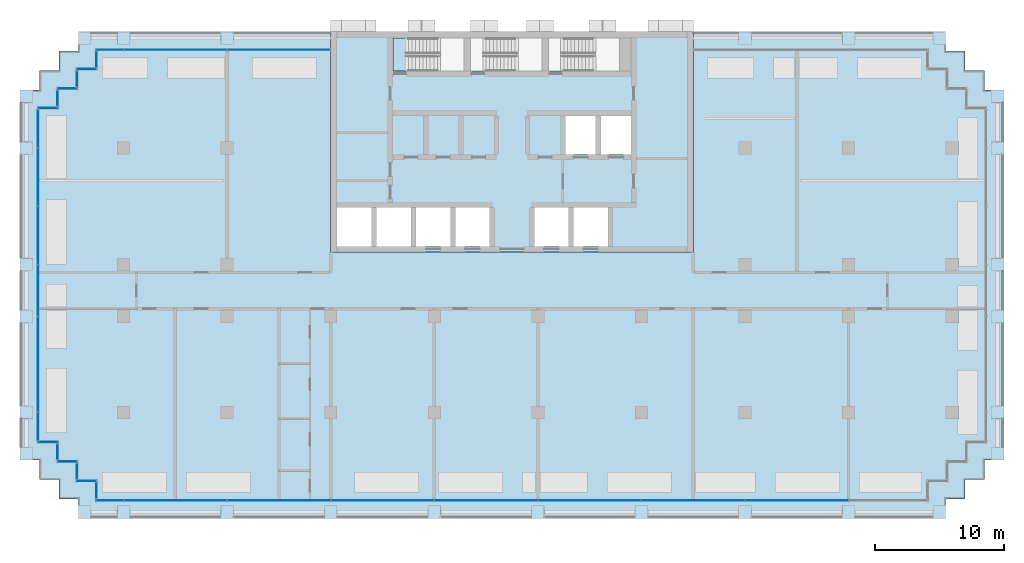
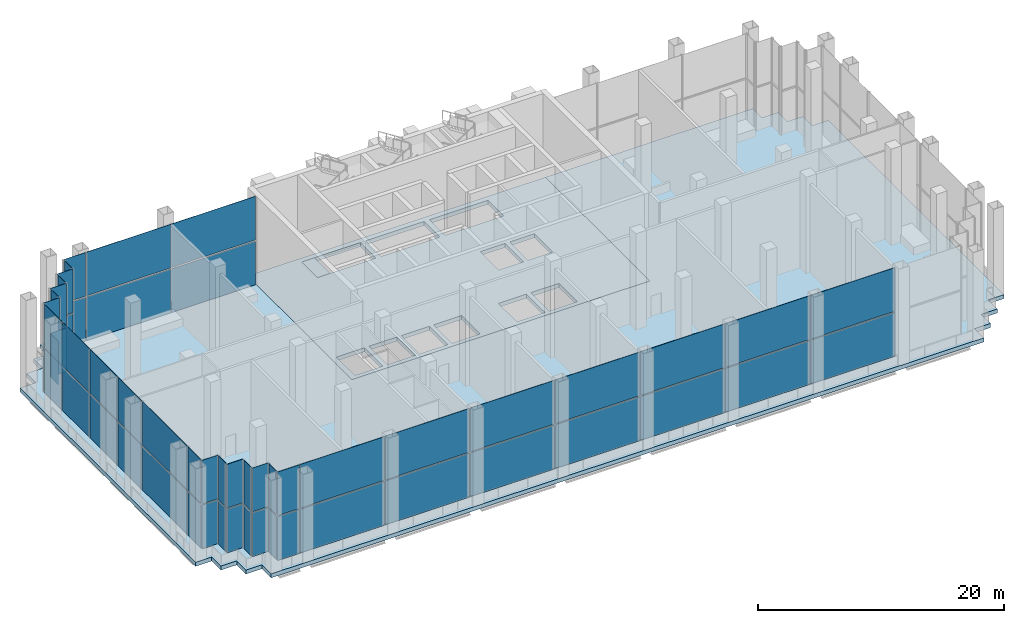
# One storey, part 7 of 16: 58 plates, 3 slabs, 15 elements without a shape of their own.
"""IFC4 building model written with IfcOpenShell, lengths in metres."""

from ifc_helpers import new_model, si_unit, direction, frame, origin, origin_2d, place, context, subcontext, project, spatial, polyline, rectangle, outline, extrude, material, layer, layer_set, type_object, element, aggregate, save


model = new_model("IFC4")

# Units and contexts
model_context = context("Model", 3, precision=1e-05, world=origin(), true_north=direction((0.0, 1.0)))
body_context = subcontext(model_context, "Body", "Model", "MODEL_VIEW")
ifc_project = project(units=[si_unit("LENGTHUNIT", "METRE"), si_unit("AREAUNIT", "SQUARE_METRE"), si_unit("VOLUMEUNIT", "CUBIC_METRE"), si_unit("PLANEANGLEUNIT", "RADIAN"), si_unit("MASSUNIT", "GRAM", prefix="KILO")], contexts=[model_context])

# Site, building, storey
site_placement = place(None, origin())
site = spatial("IfcSite", under=ifc_project, at=site_placement, CompositionType="ELEMENT")
building_placement = place(site_placement, origin())
building = spatial("IfcBuilding", under=site, at=building_placement, Name="Vidyagriha Tower", CompositionType="ELEMENT")
storey_placement = place(building_placement, frame((0.0, 0.0, 64.0)))
storey = spatial("IfcBuildingStorey", under=building, at=storey_placement, Name="L17", CompositionType="ELEMENT", Elevation=64.0)

# Slabs
ifc_material_1 = material(Name="Concrete C60/75", Category="concrete")
ifc_layer_1 = layer(ifc_material_1, 0.39990234375)
ifc_layer_set_1 = layer_set([ifc_layer_1], Name="Concrete C60/75")
slab_type_1 = type_object("IfcSlabType", Name="Core floor slab 400 mm", PredefinedType="FLOOR", material=ifc_layer_set_1)
slab_1_placement = place(storey_placement, frame((0.0, 0.0, -0.39990234375)))
element("IfcSlab", 1, at=slab_1_placement, inside=storey, type_object=slab_type_1, Name="L17 core floor 1", PredefinedType="FLOOR", context=body_context, shape_type="SweptSolid", body=[
    extrude(outline(polyline([(-14.0, 3.0), (-14.0, 20.0), (14.0, 20.0), (14.0, 3.0), (-14.0, 3.0)]), holes=[polyline([(9.199951171875, 13.5), (6.86669921875, 13.5), (6.86669921875, 10.5), (9.199951171875, 10.5), (9.199951171875, 13.5)]), polyline([(4.0, 19.5), (2.800048828125, 19.5), (2.800048828125, 16.949951171875), (4.0, 16.949951171875), (8.300048828125, 16.949951171875), (8.300048828125, 19.5), (4.0, 19.5)]), polyline([(7.4111328125, 6.39990234375), (4.7666015625, 6.39990234375), (4.7666015625, 3.39990234375), (7.4111328125, 3.39990234375), (7.4111328125, 6.39990234375)]), polyline([(6.466796875, 13.5), (4.13330078125, 13.5), (4.13330078125, 10.5), (6.466796875, 10.5), (6.466796875, 13.5)]), polyline([(1.72216796875, 6.39990234375), (1.72216796875, 3.39990234375), (4.36669921875, 3.39990234375), (4.36669921875, 6.39990234375), (1.72216796875, 6.39990234375)]), polyline([(-2.0, 16.949951171875), (2.300048828125, 16.949951171875), (2.300048828125, 19.5), (-2.0, 19.5), (-3.199951171875, 19.5), (-3.199951171875, 16.949951171875), (-2.0, 16.949951171875)]), polyline([(-1.72216796875, 6.39990234375), (-4.36669921875, 6.39990234375), (-4.36669921875, 3.39990234375), (-1.72216796875, 3.39990234375), (-1.72216796875, 6.39990234375)]), polyline([(-8.0, 19.5), (-9.199951171875, 19.5), (-9.199951171875, 16.949951171875), (-8.0, 16.949951171875), (-3.699951171875, 16.949951171875), (-3.699951171875, 19.5), (-8.0, 19.5)]), polyline([(-4.7666015625, 6.39990234375), (-7.4111328125, 6.39990234375), (-7.4111328125, 3.39990234375), (-4.7666015625, 3.39990234375), (-4.7666015625, 6.39990234375)]), polyline([(-7.81103515625, 6.39990234375), (-10.45556640625, 6.39990234375), (-10.45556640625, 3.39990234375), (-7.81103515625, 3.39990234375), (-7.81103515625, 6.39990234375)]), polyline([(-13.5, 6.39990234375), (-13.5, 3.39990234375), (-10.855712890625, 3.39990234375), (-10.855712890625, 6.39990234375), (-13.5, 6.39990234375)])]), origin(), (0.0, 0.0, 1.0), 0.39990234375),
])
ifc_material_2 = material(Name="Concrete C40/50", Category="concrete")
ifc_layer_2 = layer(ifc_material_2, 0.39990234375)
ifc_layer_set_2 = layer_set([ifc_layer_2], Name="Concrete C40/50")
slab_type_2 = type_object("IfcSlabType", Name="Exit stair floor landing 400 mm", PredefinedType="LANDING", material=ifc_layer_set_2)
slab_2_placement = place(storey_placement, frame((0.0, 0.0, -0.39990234375)))
element("IfcSlab", 2, at=slab_2_placement, inside=storey, type_object=slab_type_2, Name="ST1 floor landing L17", PredefinedType="LANDING", context=body_context, shape_type="SweptSolid", body=[
    extrude(outline(polyline([(-9.199951171875, 16.949951171875), (-8.0, 16.949951171875), (-8.0, 19.5), (-9.199951171875, 19.5), (-9.199951171875, 16.949951171875)])), origin(), (0.0, 0.0, 1.0), 0.39990234375),
])

# Curtain wall, plates
ifc_material_3 = material(Name="Aluminium and glass curtain wall", Category="aluminium")
curtain_wall_type = type_object("IfcCurtainWallType", Name="Winter garden glazing wall", PredefinedType="USERDEFINED", material=ifc_material_3)
curtain_wall_1_placement = place(storey_placement, origin())
curtain_wall_1 = element("IfcCurtainWall", 3, at=curtain_wall_1_placement, inside=storey, type_object=curtain_wall_type, Name="CW3 winter garden glazing", ObjectType="STICK GLAZING", PredefinedType="USERDEFINED")
ifc_material_4 = material(Name="Laminated green-tint solar-control glass", Category="glass")
ifc_layer_3 = layer(ifc_material_4, 0.031982421875)
ifc_layer_set_3 = layer_set([ifc_layer_3], Name="Laminated green-tint solar-control glass")
plate_type = type_object("IfcPlateType", Name="Green-tint winter garden glass panel", PredefinedType="CURTAIN_PANEL", material=ifc_layer_set_3)
plate_1_placement = place(storey_placement, frame((-18.02001953125, 18.60009765625, 0.0), z_axis=(0.0, 0.0, 1.0), x_axis=(-1.0, 0.0, 0.0)))
plate_1 = element("IfcPlate", 4, at=plate_1_placement, type_object=plate_type, Name="CW3 panel 1.1", PredefinedType="CURTAIN_PANEL", context=body_context, shape_type="SweptSolid", body=[
    extrude(rectangle(XDim=7.8798828125, YDim=0.031982421875, at=origin_2d()), origin(), (0.0, 0.0, 1.0), 4.340087890625),
])
plate_2_placement = place(storey_placement, frame((-18.02001953125, 18.60009765625, 4.4599609375), z_axis=(0.0, 0.0, 1.0), x_axis=(-1.0, 0.0, 0.0)))
plate_2 = element("IfcPlate", 5, at=plate_2_placement, type_object=plate_type, Name="CW3 panel 1.2", PredefinedType="CURTAIN_PANEL", context=body_context, shape_type="SweptSolid", body=[
    extrude(rectangle(XDim=7.8798828125, YDim=0.031982421875, at=origin_2d()), origin(), (0.0, 0.0, 1.0), 4.340087890625),
])
plate_3_placement = place(storey_placement, frame((-26.0, 18.60009765625, 0.0), z_axis=(0.0, 0.0, 1.0), x_axis=(-1.0, 0.0, 0.0)))
plate_3 = element("IfcPlate", 6, at=plate_3_placement, type_object=plate_type, Name="CW3 panel 2.1", PredefinedType="CURTAIN_PANEL", context=body_context, shape_type="SweptSolid", body=[
    extrude(rectangle(XDim=7.919921875, YDim=0.031982421875, at=origin_2d()), origin(), (0.0, 0.0, 1.0), 4.340087890625),
])
plate_4_placement = place(storey_placement, frame((-26.0, 18.60009765625, 4.4599609375), z_axis=(0.0, 0.0, 1.0), x_axis=(-1.0, 0.0, 0.0)))
plate_4 = element("IfcPlate", 7, at=plate_4_placement, type_object=plate_type, Name="CW3 panel 2.2", PredefinedType="CURTAIN_PANEL", context=body_context, shape_type="SweptSolid", body=[
    extrude(rectangle(XDim=7.919921875, YDim=0.031982421875, at=origin_2d()), origin(), (0.0, 0.0, 1.0), 4.340087890625),
])
plate_5_placement = place(storey_placement, frame((-31.070068359375, 18.60009765625, 0.0), z_axis=(0.0, 0.0, 1.0), x_axis=(-1.0, 0.0, 0.0)))
plate_5 = element("IfcPlate", 8, at=plate_5_placement, type_object=plate_type, Name="CW3 panel 3.1", PredefinedType="CURTAIN_PANEL", context=body_context, shape_type="SweptSolid", body=[
    extrude(rectangle(XDim=2.06005859375, YDim=0.031982421875, at=origin_2d()), origin(), (0.0, 0.0, 1.0), 4.340087890625),
])
plate_6_placement = place(storey_placement, frame((-31.070068359375, 18.60009765625, 4.4599609375), z_axis=(0.0, 0.0, 1.0), x_axis=(-1.0, 0.0, 0.0)))
plate_6 = element("IfcPlate", 9, at=plate_6_placement, type_object=plate_type, Name="CW3 panel 3.2", PredefinedType="CURTAIN_PANEL", context=body_context, shape_type="SweptSolid", body=[
    extrude(rectangle(XDim=2.06005859375, YDim=0.031982421875, at=origin_2d()), origin(), (0.0, 0.0, 1.0), 4.340087890625),
])
aggregate(curtain_wall_1, [plate_1, plate_2, plate_3, plate_4, plate_5, plate_6])

curtain_wall_2_placement = place(storey_placement, origin())
curtain_wall_2 = element("IfcCurtainWall", 10, at=curtain_wall_2_placement, inside=storey, type_object=curtain_wall_type, Name="CW3 winter garden glazing", ObjectType="STICK GLAZING", PredefinedType="USERDEFINED")
plate_7_placement = place(storey_placement, frame((-32.10009765625, 17.85009765625, 0.0), z_axis=(0.0, 0.0, 1.0), x_axis=(0.0, -1.0, 0.0)))
plate_7 = element("IfcPlate", 11, at=plate_7_placement, type_object=plate_type, Name="CW3 panel 1.1", PredefinedType="CURTAIN_PANEL", context=body_context, shape_type="SweptSolid", body=[
    extrude(rectangle(XDim=1.179931640625, YDim=0.031982421875, at=origin_2d()), origin(), (0.0, 0.0, 1.0), 4.340087890625),
])
plate_8_placement = place(storey_placement, frame((-32.10009765625, 17.85009765625, 4.4599609375), z_axis=(0.0, 0.0, 1.0), x_axis=(0.0, -1.0, 0.0)))
plate_8 = element("IfcPlate", 12, at=plate_8_placement, type_object=plate_type, Name="CW3 panel 1.2", PredefinedType="CURTAIN_PANEL", context=body_context, shape_type="SweptSolid", body=[
    extrude(rectangle(XDim=1.179931640625, YDim=0.031982421875, at=origin_2d()), origin(), (0.0, 0.0, 1.0), 4.340087890625),
])
aggregate(curtain_wall_2, [plate_7, plate_8])

curtain_wall_3_placement = place(storey_placement, origin())
curtain_wall_3 = element("IfcCurtainWall", 13, at=curtain_wall_3_placement, inside=storey, type_object=curtain_wall_type, Name="CW3 winter garden glazing", ObjectType="STICK GLAZING", PredefinedType="USERDEFINED")
plate_9_placement = place(storey_placement, frame((-32.85009765625, 17.10009765625, 0.0), z_axis=(0.0, 0.0, 1.0), x_axis=(-1.0, 0.0, 0.0)))
plate_9 = element("IfcPlate", 14, at=plate_9_placement, type_object=plate_type, Name="CW3 panel 1.1", PredefinedType="CURTAIN_PANEL", context=body_context, shape_type="SweptSolid", body=[
    extrude(rectangle(XDim=1.5, YDim=0.031982421875, at=origin_2d()), origin(), (0.0, 0.0, 1.0), 4.340087890625),
])
plate_10_placement = place(storey_placement, frame((-32.85009765625, 17.10009765625, 4.4599609375), z_axis=(0.0, 0.0, 1.0), x_axis=(-1.0, 0.0, 0.0)))
plate_10 = element("IfcPlate", 15, at=plate_10_placement, type_object=plate_type, Name="CW3 panel 1.2", PredefinedType="CURTAIN_PANEL", context=body_context, shape_type="SweptSolid", body=[
    extrude(rectangle(XDim=1.5, YDim=0.031982421875, at=origin_2d()), origin(), (0.0, 0.0, 1.0), 4.340087890625),
])
aggregate(curtain_wall_3, [plate_9, plate_10])

curtain_wall_4_placement = place(storey_placement, origin())
curtain_wall_4 = element("IfcCurtainWall", 16, at=curtain_wall_4_placement, inside=storey, type_object=curtain_wall_type, Name="CW3 winter garden glazing", ObjectType="STICK GLAZING", PredefinedType="USERDEFINED")
plate_11_placement = place(storey_placement, frame((-33.60009765625, 16.35009765625, 0.0), z_axis=(0.0, 0.0, 1.0), x_axis=(0.0, -1.0, 0.0)))
plate_11 = element("IfcPlate", 17, at=plate_11_placement, type_object=plate_type, Name="CW3 panel 1.1", PredefinedType="CURTAIN_PANEL", context=body_context, shape_type="SweptSolid", body=[
    extrude(rectangle(XDim=1.179931640625, YDim=0.031982421875, at=origin_2d()), origin(), (0.0, 0.0, 1.0), 4.340087890625),
])
plate_12_placement = place(storey_placement, frame((-33.60009765625, 16.35009765625, 4.4599609375), z_axis=(0.0, 0.0, 1.0), x_axis=(0.0, -1.0, 0.0)))
plate_12 = element("IfcPlate", 18, at=plate_12_placement, type_object=plate_type, Name="CW3 panel 1.2", PredefinedType="CURTAIN_PANEL", context=body_context, shape_type="SweptSolid", body=[
    extrude(rectangle(XDim=1.179931640625, YDim=0.031982421875, at=origin_2d()), origin(), (0.0, 0.0, 1.0), 4.340087890625),
])
aggregate(curtain_wall_4, [plate_11, plate_12])

curtain_wall_5_placement = place(storey_placement, origin())
curtain_wall_5 = element("IfcCurtainWall", 19, at=curtain_wall_5_placement, inside=storey, type_object=curtain_wall_type, Name="CW3 winter garden glazing", ObjectType="STICK GLAZING", PredefinedType="USERDEFINED")
plate_13_placement = place(storey_placement, frame((-34.35009765625, 15.60009765625, 0.0), z_axis=(0.0, 0.0, 1.0), x_axis=(-1.0, 0.0, 0.0)))
plate_13 = element("IfcPlate", 20, at=plate_13_placement, type_object=plate_type, Name="CW3 panel 1.1", PredefinedType="CURTAIN_PANEL", context=body_context, shape_type="SweptSolid", body=[
    extrude(rectangle(XDim=1.5, YDim=0.031982421875, at=origin_2d()), origin(), (0.0, 0.0, 1.0), 4.340087890625),
])
plate_14_placement = place(storey_placement, frame((-34.35009765625, 15.60009765625, 4.4599609375), z_axis=(0.0, 0.0, 1.0), x_axis=(-1.0, 0.0, 0.0)))
plate_14 = element("IfcPlate", 21, at=plate_14_placement, type_object=plate_type, Name="CW3 panel 1.2", PredefinedType="CURTAIN_PANEL", context=body_context, shape_type="SweptSolid", body=[
    extrude(rectangle(XDim=1.5, YDim=0.031982421875, at=origin_2d()), origin(), (0.0, 0.0, 1.0), 4.340087890625),
])
aggregate(curtain_wall_5, [plate_13, plate_14])

curtain_wall_6_placement = place(storey_placement, origin())
curtain_wall_6 = element("IfcCurtainWall", 22, at=curtain_wall_6_placement, inside=storey, type_object=curtain_wall_type, Name="CW3 winter garden glazing", ObjectType="STICK GLAZING", PredefinedType="USERDEFINED")
plate_15_placement = place(storey_placement, frame((-35.10009765625, 14.85009765625, 0.0), z_axis=(0.0, 0.0, 1.0), x_axis=(0.0, -1.0, 0.0)))
plate_15 = element("IfcPlate", 23, at=plate_15_placement, type_object=plate_type, Name="CW3 panel 1.1", PredefinedType="CURTAIN_PANEL", context=body_context, shape_type="SweptSolid", body=[
    extrude(rectangle(XDim=1.179931640625, YDim=0.031982421875, at=origin_2d()), origin(), (0.0, 0.0, 1.0), 4.340087890625),
])
plate_16_placement = place(storey_placement, frame((-35.10009765625, 14.85009765625, 4.4599609375), z_axis=(0.0, 0.0, 1.0), x_axis=(0.0, -1.0, 0.0)))
plate_16 = element("IfcPlate", 24, at=plate_16_placement, type_object=plate_type, Name="CW3 panel 1.2", PredefinedType="CURTAIN_PANEL", context=body_context, shape_type="SweptSolid", body=[
    extrude(rectangle(XDim=1.179931640625, YDim=0.031982421875, at=origin_2d()), origin(), (0.0, 0.0, 1.0), 4.340087890625),
])
aggregate(curtain_wall_6, [plate_15, plate_16])

curtain_wall_7_placement = place(storey_placement, origin())
curtain_wall_7 = element("IfcCurtainWall", 25, at=curtain_wall_7_placement, inside=storey, type_object=curtain_wall_type, Name="CW3 winter garden glazing", ObjectType="STICK GLAZING", PredefinedType="USERDEFINED")
plate_17_placement = place(storey_placement, frame((-35.85009765625, 14.10009765625, 0.0), z_axis=(0.0, 0.0, 1.0), x_axis=(-1.0, 0.0, 0.0)))
plate_17 = element("IfcPlate", 26, at=plate_17_placement, type_object=plate_type, Name="CW3 panel 1.1", PredefinedType="CURTAIN_PANEL", context=body_context, shape_type="SweptSolid", body=[
    extrude(rectangle(XDim=1.5, YDim=0.031982421875, at=origin_2d()), origin(), (0.0, 0.0, 1.0), 4.340087890625),
])
plate_18_placement = place(storey_placement, frame((-35.85009765625, 14.10009765625, 4.4599609375), z_axis=(0.0, 0.0, 1.0), x_axis=(-1.0, 0.0, 0.0)))
plate_18 = element("IfcPlate", 27, at=plate_18_placement, type_object=plate_type, Name="CW3 panel 1.2", PredefinedType="CURTAIN_PANEL", context=body_context, shape_type="SweptSolid", body=[
    extrude(rectangle(XDim=1.5, YDim=0.031982421875, at=origin_2d()), origin(), (0.0, 0.0, 1.0), 4.340087890625),
])
aggregate(curtain_wall_7, [plate_17, plate_18])

curtain_wall_8_placement = place(storey_placement, origin())
curtain_wall_8 = element("IfcCurtainWall", 28, at=curtain_wall_8_placement, inside=storey, type_object=curtain_wall_type, Name="CW3 winter garden glazing", ObjectType="STICK GLAZING", PredefinedType="USERDEFINED")
plate_19_placement = place(storey_placement, frame((-36.60009765625, 12.489990234375, 0.0), z_axis=(0.0, 0.0, 1.0), x_axis=(0.0, -1.0, 0.0)))
plate_19 = element("IfcPlate", 29, at=plate_19_placement, type_object=plate_type, Name="CW3 panel 1.1", PredefinedType="CURTAIN_PANEL", context=body_context, shape_type="SweptSolid", body=[
    extrude(rectangle(XDim=2.89990234375, YDim=0.031982421875, at=origin_2d()), origin(), (0.0, 0.0, 1.0), 4.340087890625),
])
plate_20_placement = place(storey_placement, frame((-36.60009765625, 12.489990234375, 4.4599609375), z_axis=(0.0, 0.0, 1.0), x_axis=(0.0, -1.0, 0.0)))
plate_20 = element("IfcPlate", 30, at=plate_20_placement, type_object=plate_type, Name="CW3 panel 1.2", PredefinedType="CURTAIN_PANEL", context=body_context, shape_type="SweptSolid", body=[
    extrude(rectangle(XDim=2.89990234375, YDim=0.031982421875, at=origin_2d()), origin(), (0.0, 0.0, 1.0), 4.340087890625),
])
plate_21_placement = place(storey_placement, frame((-36.60009765625, 8.75, 0.0), z_axis=(0.0, 0.0, 1.0), x_axis=(0.0, -1.0, 0.0)))
plate_21 = element("IfcPlate", 31, at=plate_21_placement, type_object=plate_type, Name="CW3 panel 2.1", PredefinedType="CURTAIN_PANEL", context=body_context, shape_type="SweptSolid", body=[
    extrude(rectangle(XDim=4.419921875, YDim=0.031982421875, at=origin_2d()), origin(), (0.0, 0.0, 1.0), 4.340087890625),
])
plate_22_placement = place(storey_placement, frame((-36.60009765625, 8.75, 4.4599609375), z_axis=(0.0, 0.0, 1.0), x_axis=(0.0, -1.0, 0.0)))
plate_22 = element("IfcPlate", 32, at=plate_22_placement, type_object=plate_type, Name="CW3 panel 2.2", PredefinedType="CURTAIN_PANEL", context=body_context, shape_type="SweptSolid", body=[
    extrude(rectangle(XDim=4.419921875, YDim=0.031982421875, at=origin_2d()), origin(), (0.0, 0.0, 1.0), 4.340087890625),
])
plate_23_placement = place(storey_placement, frame((-36.60009765625, 4.25, 0.0), z_axis=(0.0, 0.0, 1.0), x_axis=(0.0, -1.0, 0.0)))
plate_23 = element("IfcPlate", 33, at=plate_23_placement, type_object=plate_type, Name="CW3 panel 3.1", PredefinedType="CURTAIN_PANEL", context=body_context, shape_type="SweptSolid", body=[
    extrude(rectangle(XDim=4.419921875, YDim=0.031982421875, at=origin_2d()), origin(), (0.0, 0.0, 1.0), 4.340087890625),
])
plate_24_placement = place(storey_placement, frame((-36.60009765625, 4.25, 4.4599609375), z_axis=(0.0, 0.0, 1.0), x_axis=(0.0, -1.0, 0.0)))
plate_24 = element("IfcPlate", 34, at=plate_24_placement, type_object=plate_type, Name="CW3 panel 3.2", PredefinedType="CURTAIN_PANEL", context=body_context, shape_type="SweptSolid", body=[
    extrude(rectangle(XDim=4.419921875, YDim=0.031982421875, at=origin_2d()), origin(), (0.0, 0.0, 1.0), 4.340087890625),
])
plate_25_placement = place(storey_placement, frame((-36.60009765625, 0.0, 0.0), z_axis=(0.0, 0.0, 1.0), x_axis=(0.0, -1.0, 0.0)))
plate_25 = element("IfcPlate", 35, at=plate_25_placement, type_object=plate_type, Name="CW3 panel 4.1", PredefinedType="CURTAIN_PANEL", context=body_context, shape_type="SweptSolid", body=[
    extrude(rectangle(XDim=3.919921875, YDim=0.031982421875, at=origin_2d()), origin(), (0.0, 0.0, 1.0), 4.340087890625),
])
plate_26_placement = place(storey_placement, frame((-36.60009765625, 0.0, 4.4599609375), z_axis=(0.0, 0.0, 1.0), x_axis=(0.0, -1.0, 0.0)))
plate_26 = element("IfcPlate", 36, at=plate_26_placement, type_object=plate_type, Name="CW3 panel 4.2", PredefinedType="CURTAIN_PANEL", context=body_context, shape_type="SweptSolid", body=[
    extrude(rectangle(XDim=3.919921875, YDim=0.031982421875, at=origin_2d()), origin(), (0.0, 0.0, 1.0), 4.340087890625),
])
plate_27_placement = place(storey_placement, frame((-36.60009765625, -5.699951171875, 0.0), z_axis=(0.0, 0.0, 1.0), x_axis=(0.0, -1.0, 0.0)))
plate_27 = element("IfcPlate", 37, at=plate_27_placement, type_object=plate_type, Name="CW3 panel 5.1", PredefinedType="CURTAIN_PANEL", context=body_context, shape_type="SweptSolid", body=[
    extrude(rectangle(XDim=7.320068359375, YDim=0.031982421875, at=origin_2d()), origin(), (0.0, 0.0, 1.0), 4.340087890625),
])
plate_28_placement = place(storey_placement, frame((-36.60009765625, -5.699951171875, 4.4599609375), z_axis=(0.0, 0.0, 1.0), x_axis=(0.0, -1.0, 0.0)))
plate_28 = element("IfcPlate", 38, at=plate_28_placement, type_object=plate_type, Name="CW3 panel 5.2", PredefinedType="CURTAIN_PANEL", context=body_context, shape_type="SweptSolid", body=[
    extrude(rectangle(XDim=7.320068359375, YDim=0.031982421875, at=origin_2d()), origin(), (0.0, 0.0, 1.0), 4.340087890625),
])
plate_29_placement = place(storey_placement, frame((-36.60009765625, -10.489990234375, 0.0), z_axis=(0.0, 0.0, 1.0), x_axis=(0.0, -1.0, 0.0)))
plate_29 = element("IfcPlate", 39, at=plate_29_placement, type_object=plate_type, Name="CW3 panel 6.1", PredefinedType="CURTAIN_PANEL", context=body_context, shape_type="SweptSolid", body=[
    extrude(rectangle(XDim=2.10009765625, YDim=0.031982421875, at=origin_2d()), origin(), (0.0, 0.0, 1.0), 4.340087890625),
])
plate_30_placement = place(storey_placement, frame((-36.60009765625, -10.489990234375, 4.4599609375), z_axis=(0.0, 0.0, 1.0), x_axis=(0.0, -1.0, 0.0)))
plate_30 = element("IfcPlate", 40, at=plate_30_placement, type_object=plate_type, Name="CW3 panel 6.2", PredefinedType="CURTAIN_PANEL", context=body_context, shape_type="SweptSolid", body=[
    extrude(rectangle(XDim=2.10009765625, YDim=0.031982421875, at=origin_2d()), origin(), (0.0, 0.0, 1.0), 4.340087890625),
])
aggregate(curtain_wall_8, [plate_19, plate_20, plate_21, plate_22, plate_23, plate_24, plate_25, plate_26, plate_27, plate_28, plate_29, plate_30])

curtain_wall_9_placement = place(storey_placement, origin())
curtain_wall_9 = element("IfcCurtainWall", 41, at=curtain_wall_9_placement, inside=storey, type_object=curtain_wall_type, Name="CW3 winter garden glazing", ObjectType="STICK GLAZING", PredefinedType="USERDEFINED")
plate_31_placement = place(storey_placement, frame((-35.85009765625, -11.699951171875, 0.0)))
plate_31 = element("IfcPlate", 42, at=plate_31_placement, type_object=plate_type, Name="CW3 panel 1.1", PredefinedType="CURTAIN_PANEL", context=body_context, shape_type="SweptSolid", body=[
    extrude(rectangle(XDim=1.5, YDim=0.031982421875, at=origin_2d()), origin(), (0.0, 0.0, 1.0), 4.340087890625),
])
plate_32_placement = place(storey_placement, frame((-35.85009765625, -11.699951171875, 4.4599609375)))
plate_32 = element("IfcPlate", 43, at=plate_32_placement, type_object=plate_type, Name="CW3 panel 1.2", PredefinedType="CURTAIN_PANEL", context=body_context, shape_type="SweptSolid", body=[
    extrude(rectangle(XDim=1.5, YDim=0.031982421875, at=origin_2d()), origin(), (0.0, 0.0, 1.0), 4.340087890625),
])
aggregate(curtain_wall_9, [plate_31, plate_32])

curtain_wall_10_placement = place(storey_placement, origin())
curtain_wall_10 = element("IfcCurtainWall", 44, at=curtain_wall_10_placement, inside=storey, type_object=curtain_wall_type, Name="CW3 winter garden glazing", ObjectType="STICK GLAZING", PredefinedType="USERDEFINED")
plate_33_placement = place(storey_placement, frame((-35.10009765625, -12.449951171875, 0.0), z_axis=(0.0, 0.0, 1.0), x_axis=(0.0, -1.0, 0.0)))
plate_33 = element("IfcPlate", 45, at=plate_33_placement, type_object=plate_type, Name="CW3 panel 1.1", PredefinedType="CURTAIN_PANEL", context=body_context, shape_type="SweptSolid", body=[
    extrude(rectangle(XDim=1.179931640625, YDim=0.031982421875, at=origin_2d()), origin(), (0.0, 0.0, 1.0), 4.340087890625),
])
plate_34_placement = place(storey_placement, frame((-35.10009765625, -12.449951171875, 4.4599609375), z_axis=(0.0, 0.0, 1.0), x_axis=(0.0, -1.0, 0.0)))
plate_34 = element("IfcPlate", 46, at=plate_34_placement, type_object=plate_type, Name="CW3 panel 1.2", PredefinedType="CURTAIN_PANEL", context=body_context, shape_type="SweptSolid", body=[
    extrude(rectangle(XDim=1.179931640625, YDim=0.031982421875, at=origin_2d()), origin(), (0.0, 0.0, 1.0), 4.340087890625),
])
aggregate(curtain_wall_10, [plate_33, plate_34])

curtain_wall_11_placement = place(storey_placement, origin())
curtain_wall_11 = element("IfcCurtainWall", 47, at=curtain_wall_11_placement, inside=storey, type_object=curtain_wall_type, Name="CW3 winter garden glazing", ObjectType="STICK GLAZING", PredefinedType="USERDEFINED")
plate_35_placement = place(storey_placement, frame((-34.35009765625, -13.199951171875, 0.0)))
plate_35 = element("IfcPlate", 48, at=plate_35_placement, type_object=plate_type, Name="CW3 panel 1.1", PredefinedType="CURTAIN_PANEL", context=body_context, shape_type="SweptSolid", body=[
    extrude(rectangle(XDim=1.5, YDim=0.031982421875, at=origin_2d()), origin(), (0.0, 0.0, 1.0), 4.340087890625),
])
plate_36_placement = place(storey_placement, frame((-34.35009765625, -13.199951171875, 4.4599609375)))
plate_36 = element("IfcPlate", 49, at=plate_36_placement, type_object=plate_type, Name="CW3 panel 1.2", PredefinedType="CURTAIN_PANEL", context=body_context, shape_type="SweptSolid", body=[
    extrude(rectangle(XDim=1.5, YDim=0.031982421875, at=origin_2d()), origin(), (0.0, 0.0, 1.0), 4.340087890625),
])
aggregate(curtain_wall_11, [plate_35, plate_36])

curtain_wall_12_placement = place(storey_placement, origin())
curtain_wall_12 = element("IfcCurtainWall", 50, at=curtain_wall_12_placement, inside=storey, type_object=curtain_wall_type, Name="CW3 winter garden glazing", ObjectType="STICK GLAZING", PredefinedType="USERDEFINED")
plate_37_placement = place(storey_placement, frame((-33.60009765625, -13.949951171875, 0.0), z_axis=(0.0, 0.0, 1.0), x_axis=(0.0, -1.0, 0.0)))
plate_37 = element("IfcPlate", 51, at=plate_37_placement, type_object=plate_type, Name="CW3 panel 1.1", PredefinedType="CURTAIN_PANEL", context=body_context, shape_type="SweptSolid", body=[
    extrude(rectangle(XDim=1.179931640625, YDim=0.031982421875, at=origin_2d()), origin(), (0.0, 0.0, 1.0), 4.340087890625),
])
plate_38_placement = place(storey_placement, frame((-33.60009765625, -13.949951171875, 4.4599609375), z_axis=(0.0, 0.0, 1.0), x_axis=(0.0, -1.0, 0.0)))
plate_38 = element("IfcPlate", 52, at=plate_38_placement, type_object=plate_type, Name="CW3 panel 1.2", PredefinedType="CURTAIN_PANEL", context=body_context, shape_type="SweptSolid", body=[
    extrude(rectangle(XDim=1.179931640625, YDim=0.031982421875, at=origin_2d()), origin(), (0.0, 0.0, 1.0), 4.340087890625),
])
aggregate(curtain_wall_12, [plate_37, plate_38])

curtain_wall_13_placement = place(storey_placement, origin())
curtain_wall_13 = element("IfcCurtainWall", 53, at=curtain_wall_13_placement, inside=storey, type_object=curtain_wall_type, Name="CW3 winter garden glazing", ObjectType="STICK GLAZING", PredefinedType="USERDEFINED")
plate_39_placement = place(storey_placement, frame((-32.85009765625, -14.699951171875, 0.0)))
plate_39 = element("IfcPlate", 54, at=plate_39_placement, type_object=plate_type, Name="CW3 panel 1.1", PredefinedType="CURTAIN_PANEL", context=body_context, shape_type="SweptSolid", body=[
    extrude(rectangle(XDim=1.5, YDim=0.031982421875, at=origin_2d()), origin(), (0.0, 0.0, 1.0), 4.340087890625),
])
plate_40_placement = place(storey_placement, frame((-32.85009765625, -14.699951171875, 4.4599609375)))
plate_40 = element("IfcPlate", 55, at=plate_40_placement, type_object=plate_type, Name="CW3 panel 1.2", PredefinedType="CURTAIN_PANEL", context=body_context, shape_type="SweptSolid", body=[
    extrude(rectangle(XDim=1.5, YDim=0.031982421875, at=origin_2d()), origin(), (0.0, 0.0, 1.0), 4.340087890625),
])
aggregate(curtain_wall_13, [plate_39, plate_40])

curtain_wall_14_placement = place(storey_placement, origin())
curtain_wall_14 = element("IfcCurtainWall", 56, at=curtain_wall_14_placement, inside=storey, type_object=curtain_wall_type, Name="CW3 winter garden glazing", ObjectType="STICK GLAZING", PredefinedType="USERDEFINED")
plate_41_placement = place(storey_placement, frame((-32.10009765625, -15.449951171875, 0.0), z_axis=(0.0, 0.0, 1.0), x_axis=(0.0, -1.0, 0.0)))
plate_41 = element("IfcPlate", 57, at=plate_41_placement, type_object=plate_type, Name="CW3 panel 1.1", PredefinedType="CURTAIN_PANEL", context=body_context, shape_type="SweptSolid", body=[
    extrude(rectangle(XDim=1.179931640625, YDim=0.031982421875, at=origin_2d()), origin(), (0.0, 0.0, 1.0), 4.340087890625),
])
plate_42_placement = place(storey_placement, frame((-32.10009765625, -15.449951171875, 4.4599609375), z_axis=(0.0, 0.0, 1.0), x_axis=(0.0, -1.0, 0.0)))
plate_42 = element("IfcPlate", 58, at=plate_42_placement, type_object=plate_type, Name="CW3 panel 1.2", PredefinedType="CURTAIN_PANEL", context=body_context, shape_type="SweptSolid", body=[
    extrude(rectangle(XDim=1.179931640625, YDim=0.031982421875, at=origin_2d()), origin(), (0.0, 0.0, 1.0), 4.340087890625),
])
aggregate(curtain_wall_14, [plate_41, plate_42])

curtain_wall_15_placement = place(storey_placement, origin())
curtain_wall_15 = element("IfcCurtainWall", 59, at=curtain_wall_15_placement, inside=storey, type_object=curtain_wall_type, Name="CW3 winter garden glazing", ObjectType="STICK GLAZING", PredefinedType="USERDEFINED")
plate_43_placement = place(storey_placement, frame((-31.070068359375, -16.199951171875, 0.0)))
plate_43 = element("IfcPlate", 60, at=plate_43_placement, type_object=plate_type, Name="CW3 panel 1.1", PredefinedType="CURTAIN_PANEL", context=body_context, shape_type="SweptSolid", body=[
    extrude(rectangle(XDim=2.06005859375, YDim=0.031982421875, at=origin_2d()), origin(), (0.0, 0.0, 1.0), 4.340087890625),
])
plate_44_placement = place(storey_placement, frame((-31.070068359375, -16.199951171875, 4.4599609375)))
plate_44 = element("IfcPlate", 61, at=plate_44_placement, type_object=plate_type, Name="CW3 panel 1.2", PredefinedType="CURTAIN_PANEL", context=body_context, shape_type="SweptSolid", body=[
    extrude(rectangle(XDim=2.06005859375, YDim=0.031982421875, at=origin_2d()), origin(), (0.0, 0.0, 1.0), 4.340087890625),
])
plate_45_placement = place(storey_placement, frame((-26.0, -16.199951171875, 0.0)))
plate_45 = element("IfcPlate", 62, at=plate_45_placement, type_object=plate_type, Name="CW3 panel 2.1", PredefinedType="CURTAIN_PANEL", context=body_context, shape_type="SweptSolid", body=[
    extrude(rectangle(XDim=7.919921875, YDim=0.031982421875, at=origin_2d()), origin(), (0.0, 0.0, 1.0), 4.340087890625),
])
plate_46_placement = place(storey_placement, frame((-26.0, -16.199951171875, 4.4599609375)))
plate_46 = element("IfcPlate", 63, at=plate_46_placement, type_object=plate_type, Name="CW3 panel 2.2", PredefinedType="CURTAIN_PANEL", context=body_context, shape_type="SweptSolid", body=[
    extrude(rectangle(XDim=7.919921875, YDim=0.031982421875, at=origin_2d()), origin(), (0.0, 0.0, 1.0), 4.340087890625),
])
plate_47_placement = place(storey_placement, frame((-18.0, -16.199951171875, 0.0)))
plate_47 = element("IfcPlate", 64, at=plate_47_placement, type_object=plate_type, Name="CW3 panel 3.1", PredefinedType="CURTAIN_PANEL", context=body_context, shape_type="SweptSolid", body=[
    extrude(rectangle(XDim=7.919921875, YDim=0.031982421875, at=origin_2d()), origin(), (0.0, 0.0, 1.0), 4.340087890625),
])
plate_48_placement = place(storey_placement, frame((-18.0, -16.199951171875, 4.4599609375)))
plate_48 = element("IfcPlate", 65, at=plate_48_placement, type_object=plate_type, Name="CW3 panel 3.2", PredefinedType="CURTAIN_PANEL", context=body_context, shape_type="SweptSolid", body=[
    extrude(rectangle(XDim=7.919921875, YDim=0.031982421875, at=origin_2d()), origin(), (0.0, 0.0, 1.0), 4.340087890625),
])
plate_49_placement = place(storey_placement, frame((-10.0, -16.199951171875, 0.0)))
plate_49 = element("IfcPlate", 66, at=plate_49_placement, type_object=plate_type, Name="CW3 panel 4.1", PredefinedType="CURTAIN_PANEL", context=body_context, shape_type="SweptSolid", body=[
    extrude(rectangle(XDim=7.919921875, YDim=0.031982421875, at=origin_2d()), origin(), (0.0, 0.0, 1.0), 4.340087890625),
])
plate_50_placement = place(storey_placement, frame((-10.0, -16.199951171875, 4.4599609375)))
plate_50 = element("IfcPlate", 67, at=plate_50_placement, type_object=plate_type, Name="CW3 panel 4.2", PredefinedType="CURTAIN_PANEL", context=body_context, shape_type="SweptSolid", body=[
    extrude(rectangle(XDim=7.919921875, YDim=0.031982421875, at=origin_2d()), origin(), (0.0, 0.0, 1.0), 4.340087890625),
])
plate_51_placement = place(storey_placement, frame((-2.0, -16.199951171875, 0.0)))
plate_51 = element("IfcPlate", 68, at=plate_51_placement, type_object=plate_type, Name="CW3 panel 5.1", PredefinedType="CURTAIN_PANEL", context=body_context, shape_type="SweptSolid", body=[
    extrude(rectangle(XDim=7.919921875, YDim=0.031982421875, at=origin_2d()), origin(), (0.0, 0.0, 1.0), 4.340087890625),
])
plate_52_placement = place(storey_placement, frame((-2.0, -16.199951171875, 4.4599609375)))
plate_52 = element("IfcPlate", 69, at=plate_52_placement, type_object=plate_type, Name="CW3 panel 5.2", PredefinedType="CURTAIN_PANEL", context=body_context, shape_type="SweptSolid", body=[
    extrude(rectangle(XDim=7.919921875, YDim=0.031982421875, at=origin_2d()), origin(), (0.0, 0.0, 1.0), 4.340087890625),
])
plate_53_placement = place(storey_placement, frame((6.0, -16.199951171875, 0.0)))
plate_53 = element("IfcPlate", 70, at=plate_53_placement, type_object=plate_type, Name="CW3 panel 6.1", PredefinedType="CURTAIN_PANEL", context=body_context, shape_type="SweptSolid", body=[
    extrude(rectangle(XDim=7.919921875, YDim=0.031982421875, at=origin_2d()), origin(), (0.0, 0.0, 1.0), 4.340087890625),
])
plate_54_placement = place(storey_placement, frame((6.0, -16.199951171875, 4.4599609375)))
plate_54 = element("IfcPlate", 71, at=plate_54_placement, type_object=plate_type, Name="CW3 panel 6.2", PredefinedType="CURTAIN_PANEL", context=body_context, shape_type="SweptSolid", body=[
    extrude(rectangle(XDim=7.919921875, YDim=0.031982421875, at=origin_2d()), origin(), (0.0, 0.0, 1.0), 4.340087890625),
])
plate_55_placement = place(storey_placement, frame((14.0, -16.199951171875, 0.0)))
plate_55 = element("IfcPlate", 72, at=plate_55_placement, type_object=plate_type, Name="CW3 panel 7.1", PredefinedType="CURTAIN_PANEL", context=body_context, shape_type="SweptSolid", body=[
    extrude(rectangle(XDim=7.919921875, YDim=0.031982421875, at=origin_2d()), origin(), (0.0, 0.0, 1.0), 4.340087890625),
])
plate_56_placement = place(storey_placement, frame((14.0, -16.199951171875, 4.4599609375)))
plate_56 = element("IfcPlate", 73, at=plate_56_placement, type_object=plate_type, Name="CW3 panel 7.2", PredefinedType="CURTAIN_PANEL", context=body_context, shape_type="SweptSolid", body=[
    extrude(rectangle(XDim=7.919921875, YDim=0.031982421875, at=origin_2d()), origin(), (0.0, 0.0, 1.0), 4.340087890625),
])
plate_57_placement = place(storey_placement, frame((22.0, -16.199951171875, 0.0)))
plate_57 = element("IfcPlate", 74, at=plate_57_placement, type_object=plate_type, Name="CW3 panel 8.1", PredefinedType="CURTAIN_PANEL", context=body_context, shape_type="SweptSolid", body=[
    extrude(rectangle(XDim=7.919921875, YDim=0.031982421875, at=origin_2d()), origin(), (0.0, 0.0, 1.0), 4.340087890625),
])
plate_58_placement = place(storey_placement, frame((22.0, -16.199951171875, 4.4599609375)))
plate_58 = element("IfcPlate", 75, at=plate_58_placement, type_object=plate_type, Name="CW3 panel 8.2", PredefinedType="CURTAIN_PANEL", context=body_context, shape_type="SweptSolid", body=[
    extrude(rectangle(XDim=7.919921875, YDim=0.031982421875, at=origin_2d()), origin(), (0.0, 0.0, 1.0), 4.340087890625),
])
aggregate(curtain_wall_15, [plate_43, plate_44, plate_45, plate_46, plate_47, plate_48, plate_49, plate_50, plate_51, plate_52, plate_53, plate_54, plate_55, plate_56, plate_57, plate_58])

# Slab
ifc_material_5 = material(Name="Concrete C50/60", Category="concrete")
ifc_layer_4 = layer(ifc_material_5, 0.39990234375)
ifc_layer_set_4 = layer_set([ifc_layer_4], Name="Concrete C50/60")
slab_type_3 = type_object("IfcSlabType", Name="Post-tensioned flat plate 400", PredefinedType="FLOOR", material=ifc_layer_set_4)
slab_3_placement = place(storey_placement, frame((0.0, 0.0, -0.39990234375)))
element("IfcSlab", 76, at=slab_3_placement, inside=storey, type_object=slab_type_3, Name="st-slab-L17-1", PredefinedType="FLOOR", context=body_context, shape_type="SweptSolid", body=[
    extrude(outline(polyline([(36.5, -13.10009765625), (36.5, -14.60009765625), (35.0, -14.60009765625), (35.0, -16.10009765625), (33.5, -16.10009765625), (33.5, -17.60009765625), (-33.5, -17.60009765625), (-33.5, -16.10009765625), (-35.0, -16.10009765625), (-35.0, -14.60009765625), (-36.5, -14.60009765625), (-36.5, -13.10009765625), (-38.0, -13.10009765625), (-38.0, 15.5), (-36.5, 15.5), (-36.5, 17.0), (-35.0, 17.0), (-35.0, 18.5), (-33.5, 18.5), (-33.5, 20.0), (-14.0, 20.0), (-14.0, 3.0), (14.0, 3.0), (14.0, 20.0), (33.5, 20.0), (33.5, 18.5), (35.0, 18.5), (35.0, 17.0), (36.5, 17.0), (36.5, 15.5), (38.0, 15.5), (38.0, -13.10009765625), (36.5, -13.10009765625)])), origin(), (0.0, 0.0, 1.0), 0.39990234375),
])

save(model, "model.ifc")
